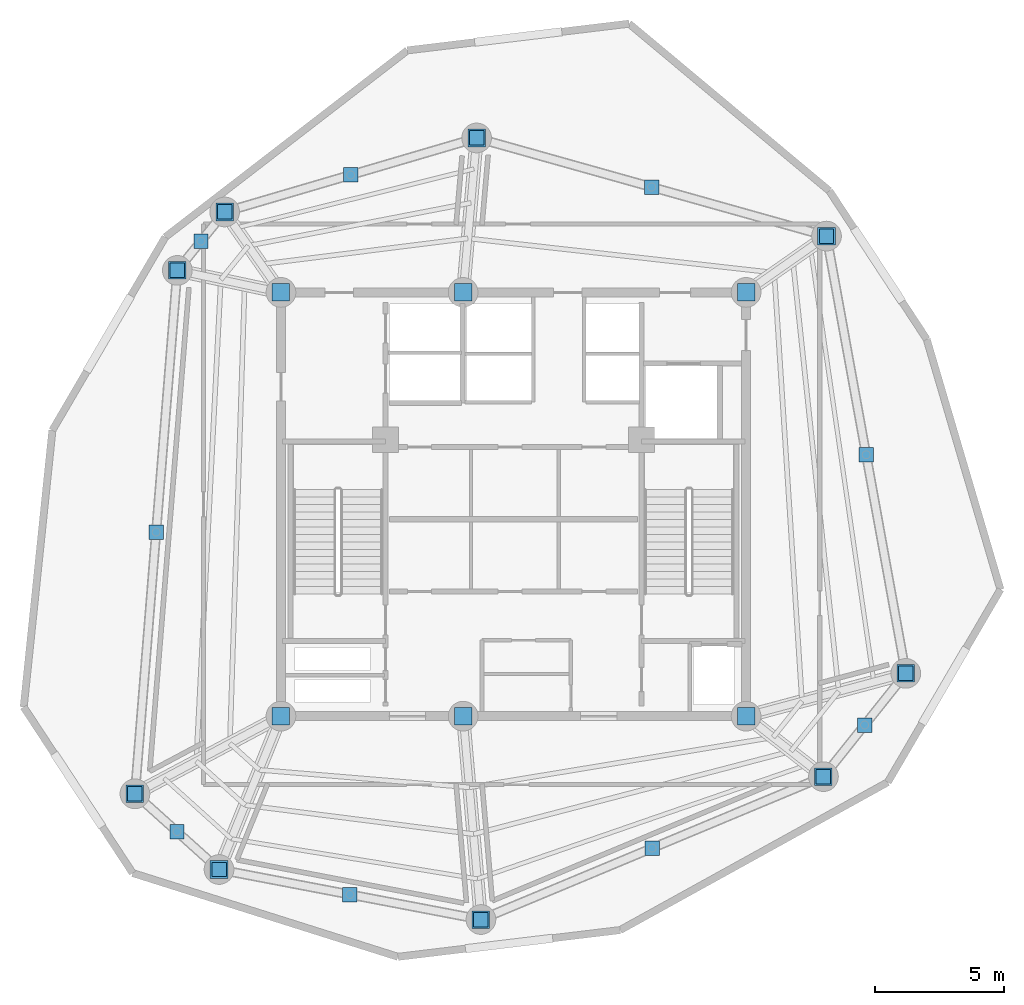
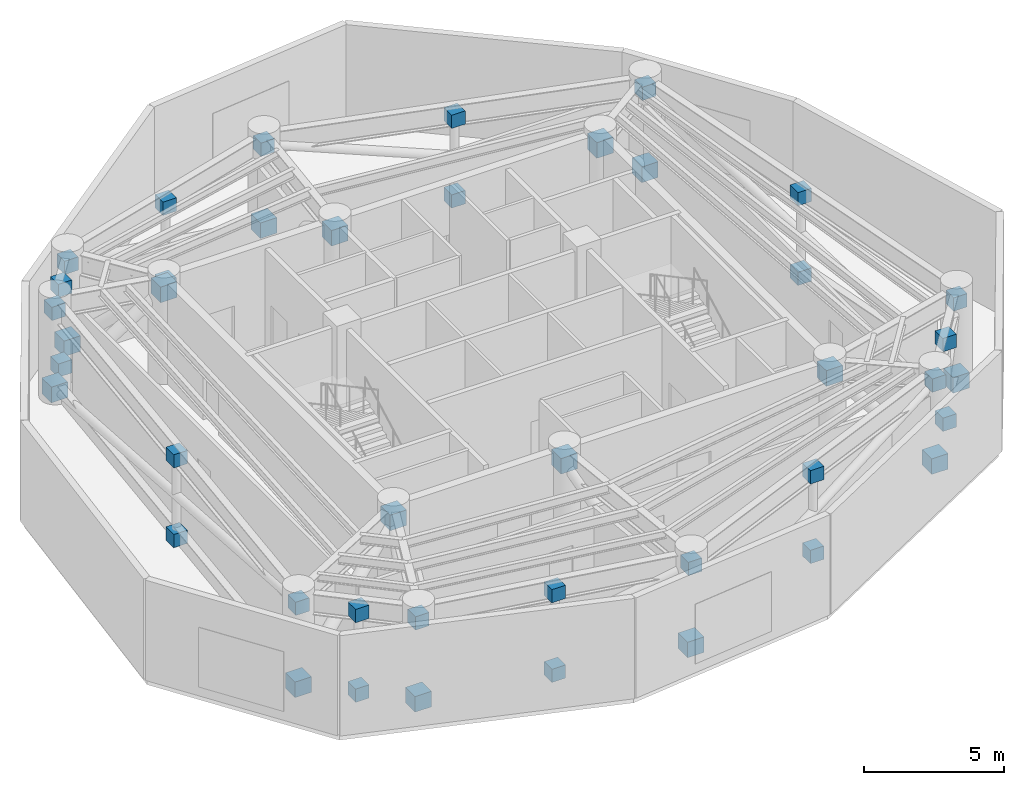
# One storey, part 6 of 8: 42 discrete accessories.
"""IFC4 building model written with IfcOpenShell, lengths in metres."""

from ifc_helpers import new_model, si_unit, direction, frame, origin, origin_with_axes, origin_2d, place, context, subcontext, project, spatial, rectangle, extrude, source, transform, mapped, material, type_object, element, save


model = new_model("IFC4")

# Units and contexts
model_context = context("Model", 3, precision=1e-05, world=origin(), true_north=direction((0.0, 1.0)))
body_context = subcontext(model_context, "Body", "Model", "MODEL_VIEW")
ifc_project = project(units=[si_unit("LENGTHUNIT", "METRE"), si_unit("AREAUNIT", "SQUARE_METRE"), si_unit("VOLUMEUNIT", "CUBIC_METRE"), si_unit("PLANEANGLEUNIT", "RADIAN"), si_unit("MASSUNIT", "GRAM", prefix="KILO")], contexts=[model_context])

# Site, building, storey
site_placement = place(None, origin())
site = spatial("IfcSite", under=ifc_project, at=site_placement, CompositionType="ELEMENT")
building_placement = place(site_placement, origin())
building = spatial("IfcBuilding", under=site, at=building_placement, Name="Karkom Vertical University and Central Library", CompositionType="ELEMENT")
storey_placement = place(building_placement, frame((0.0, 0.0, 268.75)))
storey = spatial("IfcBuildingStorey", under=building, at=storey_placement, Name="P80", CompositionType="ELEMENT", Elevation=268.75)

# Discrete accessories
ifc_material = material(Name="Ductile cast iron EN-GJS-400-15", Category="metal")
discrete_accessory_type = type_object("IfcDiscreteAccessoryType", Name="STR-ACC-NODECAP", PredefinedType="BRACKET", material=ifc_material)
shared_shape_1 = source(origin_with_axes(), body_context, "Body", "SweptSolid", [
    extrude(rectangle(XDim=0.56005859375, YDim=0.56005859375, at=origin_2d()), origin(), (0.0, 0.0, 1.0), 0.580078125),
])
for number, where, z_axis, x_axis, name in (
    (1, (40.613037109375, 36.8798828125, 3.534912109375), (0.0, 0.0, 1.0), (1.0, 0.0, 0.0), "Plant Level 80 Cast Node Connector P80-BELT-BRACE-01 B"),
    (2, (42.1474609375, 28.41796875, 0.06005859375), (0.0, 0.0, 1.0), (1.0, 0.0, 0.0), "Plant Level 80 Cast Node Connector P80-BELT-POST-01 A"),
    (3, (42.1474609375, 28.41796875, 3.534912109375), (0.0, 0.0, 1.0), (1.0, 0.0, 0.0), "Plant Level 80 Cast Node Connector P80-BELT-POST-01 B"),
    (4, (27.072998046875, 40.677001953125, 3.534912109375), (0.0, 0.0, 1.0), (1.0, 0.0, 0.0), "Plant Level 80 Cast Node Connector P80-BELT-BRACE-02 B"),
    (5, (33.843017578125, 38.778564453125, 0.06005859375), (0.0, 0.0, 1.0), (1.0, 0.0, 0.0), "Plant Level 80 Cast Node Connector P80-BELT-POST-02 A"),
    (6, (33.843017578125, 38.778564453125, 3.534912109375), (0.0, 0.0, 1.0), (1.0, 0.0, 0.0), "Plant Level 80 Cast Node Connector P80-BELT-POST-02 B"),
    (7, (17.320068359375, 37.81298828125, 3.534912109375), (0.0, 0.0, 1.0), (1.0, 0.0, 0.0), "Plant Level 80 Cast Node Connector P80-BELT-BRACE-03 B"),
    (8, (22.196533203125, 39.2451171875, 0.06005859375), (0.0, 0.0, 1.0), (1.0, 0.0, 0.0), "Plant Level 80 Cast Node Connector P80-BELT-POST-03 A"),
    (9, (22.196533203125, 39.2451171875, 3.534912109375), (0.0, 0.0, 1.0), (1.0, 0.0, 0.0), "Plant Level 80 Cast Node Connector P80-BELT-POST-03 B"),
    (10, (15.489990234375, 35.552001953125, 3.534912109375), (0.0, 0.0, 1.0), (1.0, 0.0, 0.0), "Plant Level 80 Cast Node Connector P80-BELT-BRACE-04 B"),
    (11, (16.405029296875, 36.6826171875, 0.06005859375), (0.0, 0.0, 1.0), (1.0, 0.0, 0.0), "Plant Level 80 Cast Node Connector P80-BELT-POST-04 A"),
    (12, (16.405029296875, 36.6826171875, 3.534912109375), (0.0, 0.0, 1.0), (1.0, 0.0, 0.0), "Plant Level 80 Cast Node Connector P80-BELT-POST-04 B"),
    (13, (13.84912109375, 15.294921875, 3.534912109375), (0.0, 0.0, 1.0), (1.0, 0.0, 0.0), "Plant Level 80 Cast Node Connector P80-BELT-BRACE-05 B"),
    (14, (14.66943359375, 25.423583984375, 0.06005859375), (0.0, 0.0, 1.0), (1.0, 0.0, 0.0), "Plant Level 80 Cast Node Connector P80-BELT-POST-05 A"),
    (15, (14.66943359375, 25.423583984375, 3.534912109375), (0.0, 0.0, 1.0), (1.0, 0.0, 0.0), "Plant Level 80 Cast Node Connector P80-BELT-POST-05 B"),
    (16, (17.10302734375, 12.365966796875, 3.534912109375), (0.0, 0.0, 1.0), (1.0, 0.0, 0.0), "Plant Level 80 Cast Node Connector P80-BELT-BRACE-06 B"),
    (17, (15.47607421875, 13.83056640625, 0.06005859375), (0.0, 0.0, 1.0), (1.0, 0.0, 0.0), "Plant Level 80 Cast Node Connector P80-BELT-POST-06 A"),
    (18, (15.47607421875, 13.83056640625, 3.534912109375), (0.0, 0.0, 1.0), (1.0, 0.0, 0.0), "Plant Level 80 Cast Node Connector P80-BELT-POST-06 B"),
    (19, (27.239013671875, 10.429931640625, 3.534912109375), (0.0, 0.0, 1.0), (1.0, 0.0, 0.0), "Plant Level 80 Cast Node Connector P80-BELT-BRACE-07 B"),
    (20, (22.1708984375, 11.39794921875, 0.06005859375), (0.0, 0.0, 1.0), (1.0, 0.0, 0.0), "Plant Level 80 Cast Node Connector P80-BELT-POST-07 A"),
    (21, (22.1708984375, 11.39794921875, 3.534912109375), (0.0, 0.0, 1.0), (1.0, 0.0, 0.0), "Plant Level 80 Cast Node Connector P80-BELT-POST-07 B"),
    (22, (40.493896484375, 15.9599609375, 3.534912109375), (0.0, 0.0, 1.0), (1.0, 0.0, 0.0), "Plant Level 80 Cast Node Connector P80-BELT-BRACE-08 B"),
    (23, (33.866455078125, 13.195068359375, 0.06005859375), (0.0, 0.0, 1.0), (1.0, 0.0, 0.0), "Plant Level 80 Cast Node Connector P80-BELT-POST-08 A"),
    (24, (33.866455078125, 13.195068359375, 3.534912109375), (0.0, 0.0, 1.0), (1.0, 0.0, 0.0), "Plant Level 80 Cast Node Connector P80-BELT-POST-08 B"),
    (25, (43.681884765625, 19.9560546875, 3.534912109375), (0.0, 0.0, 1.0), (1.0, 0.0, 0.0), "Plant Level 80 Cast Node Connector P80-BELT-BRACE-09 B"),
    (26, (42.087890625, 17.9580078125, 0.06005859375), (0.0, 0.0, 1.0), (1.0, 0.0, 0.0), "Plant Level 80 Cast Node Connector P80-BELT-POST-09 A"),
    (27, (42.087890625, 17.9580078125, 3.534912109375), (0.0, 0.0, 1.0), (1.0, 0.0, 0.0), "Plant Level 80 Cast Node Connector P80-BELT-POST-09 B"),
):
    element("IfcDiscreteAccessory", number, at=place(storey_placement, frame(where, z_axis=z_axis, x_axis=x_axis)), inside=storey, type_object=discrete_accessory_type, Name=name, PredefinedType="BRACKET", context=body_context, shape_type="MappedRepresentation", body=[
        mapped(shared_shape_1, transform((0.0, 0.0, 0.0), scale=1.0)),
    ])
shared_shape_2 = source(origin_with_axes(), body_context, "Body", "SweptSolid", [
    extrude(rectangle(XDim=0.679931640625, YDim=0.679931640625, at=origin_2d()), origin(), (0.0, 0.0, 1.0), 0.679931640625),
])
for number, where, z_axis, x_axis, name in (
    (28, (43.681884765625, 19.9560546875, 0.01025390625), (0.0, 0.0, 1.0), (1.0, 0.0, 0.0), "Plant Level 80 Cast Node Connector P80-BELT-BRACE-01 A"),
    (29, (40.613037109375, 36.8798828125, 0.01025390625), (0.0, 0.0, 1.0), (1.0, 0.0, 0.0), "Plant Level 80 Cast Node Connector P80-BELT-CHORD-01 B"),
    (30, (27.072998046875, 40.677001953125, 0.01025390625), (0.0, 0.0, 1.0), (1.0, 0.0, 0.0), "Plant Level 80 Cast Node Connector P80-BELT-CHORD-02 B"),
    (31, (17.320068359375, 37.81298828125, 0.01025390625), (0.0, 0.0, 1.0), (1.0, 0.0, 0.0), "Plant Level 80 Cast Node Connector P80-BELT-CHORD-03 B"),
    (32, (15.489990234375, 35.552001953125, 0.01025390625), (0.0, 0.0, 1.0), (1.0, 0.0, 0.0), "Plant Level 80 Cast Node Connector P80-BELT-CHORD-04 B"),
    (33, (13.84912109375, 15.294921875, 0.01025390625), (0.0, 0.0, 1.0), (1.0, 0.0, 0.0), "Plant Level 80 Cast Node Connector P80-BELT-CHORD-05 B"),
    (34, (17.10302734375, 12.365966796875, 0.01025390625), (0.0, 0.0, 1.0), (1.0, 0.0, 0.0), "Plant Level 80 Cast Node Connector P80-BELT-CHORD-06 B"),
    (35, (27.239013671875, 10.429931640625, 0.01025390625), (0.0, 0.0, 1.0), (1.0, 0.0, 0.0), "Plant Level 80 Cast Node Connector P80-BELT-CHORD-07 B"),
    (36, (40.493896484375, 15.9599609375, 0.01025390625), (0.0, 0.0, 1.0), (1.0, 0.0, 0.0), "Plant Level 80 Cast Node Connector P80-BELT-CHORD-08 B"),
    (37, (37.5, 18.300048828125, 3.48486328125), (0.0, 0.0, 1.0), (1.0, 0.0, 0.0), "Plant Level 80 Cast Node Connector P80-OUTRIGGER-BRACE-01 A"),
    (38, (37.5, 34.699951171875, 3.48486328125), (0.0, 0.0, 1.0), (1.0, 0.0, 0.0), "Plant Level 80 Cast Node Connector P80-OUTRIGGER-BRACE-02 A"),
    (39, (26.550048828125, 34.699951171875, 3.48486328125), (0.0, 0.0, 1.0), (1.0, 0.0, 0.0), "Plant Level 80 Cast Node Connector P80-OUTRIGGER-BRACE-03 A"),
    (40, (19.5, 34.699951171875, 3.48486328125), (0.0, 0.0, 1.0), (1.0, 0.0, 0.0), "Plant Level 80 Cast Node Connector P80-OUTRIGGER-BRACE-04 A"),
    (41, (19.5, 18.300048828125, 3.48486328125), (0.0, 0.0, 1.0), (1.0, 0.0, 0.0), "Plant Level 80 Cast Node Connector P80-OUTRIGGER-BRACE-06 A"),
    (42, (26.550048828125, 18.300048828125, 3.48486328125), (0.0, 0.0, 1.0), (1.0, 0.0, 0.0), "Plant Level 80 Cast Node Connector P80-OUTRIGGER-BRACE-08 A"),
):
    element("IfcDiscreteAccessory", number, at=place(storey_placement, frame(where, z_axis=z_axis, x_axis=x_axis)), inside=storey, type_object=discrete_accessory_type, Name=name, PredefinedType="BRACKET", context=body_context, shape_type="MappedRepresentation", body=[
        mapped(shared_shape_2, transform((0.0, 0.0, 0.0), scale=1.0)),
    ])

save(model, "model.ifc")
